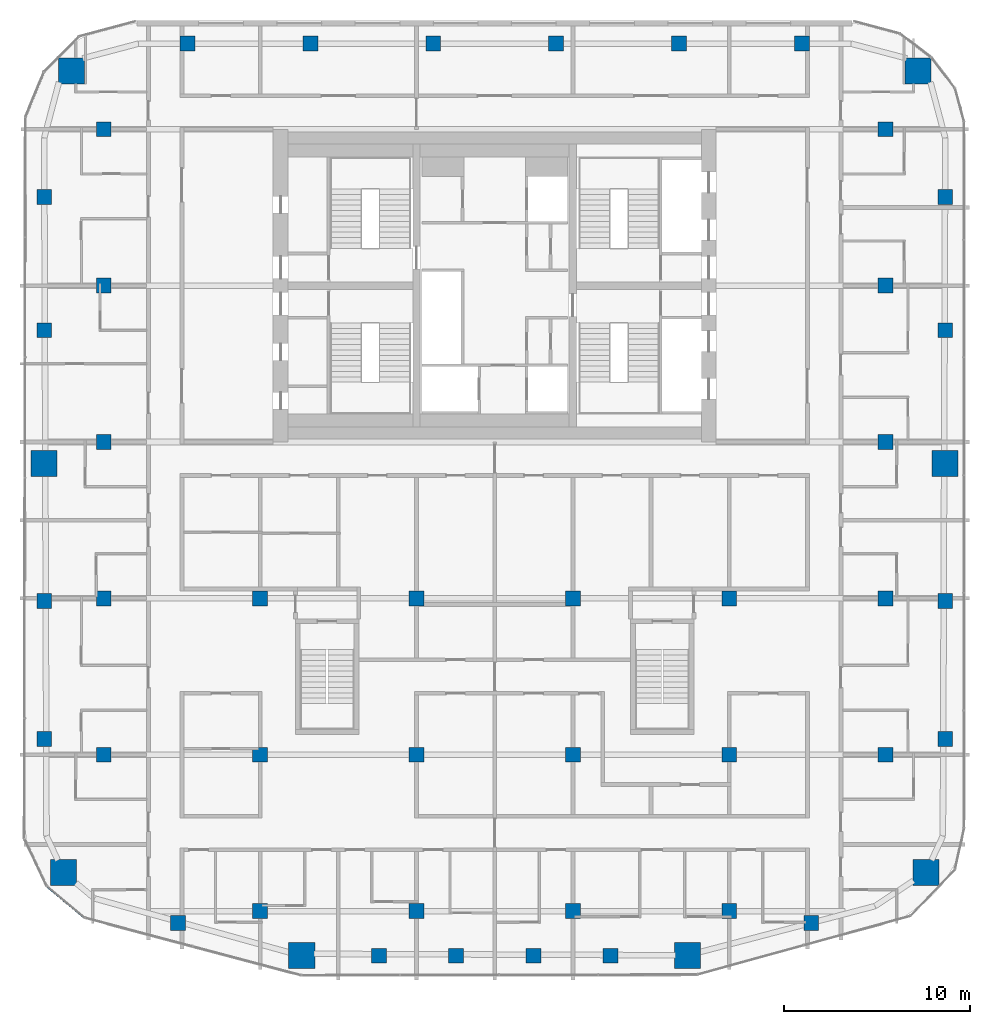
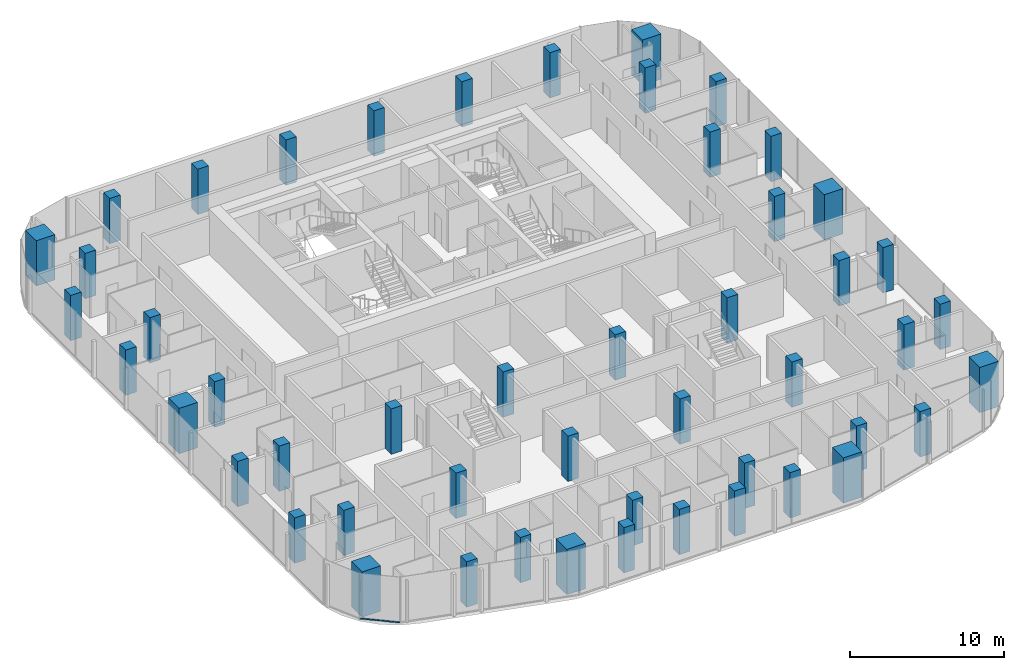
# One storey, part 1 of 22: 50 columns, 1 member, 1 element without a shape of its own.
"""IFC4 building model written with IfcOpenShell, lengths in metres."""

from ifc_helpers import new_model, si_unit, direction, frame, origin, origin_2d, place, context, subcontext, project, spatial, rectangle, extrude, material, layer, layer_set, material_profile, profile_set, type_object, element, aggregate, save


model = new_model("IFC4")

# Units and contexts
model_context = context("Model", 3, precision=1e-05, world=origin(), true_north=direction((0.0, 1.0)))
body_context = subcontext(model_context, "Body", "Model", "MODEL_VIEW")
ifc_project = project(units=[si_unit("LENGTHUNIT", "METRE"), si_unit("AREAUNIT", "SQUARE_METRE"), si_unit("VOLUMEUNIT", "CUBIC_METRE"), si_unit("PLANEANGLEUNIT", "RADIAN"), si_unit("MASSUNIT", "GRAM", prefix="KILO")], contexts=[model_context])

# Site, building, storey
site_placement = place(None, origin())
site = spatial("IfcSite", under=ifc_project, at=site_placement, CompositionType="ELEMENT")
building_placement = place(site_placement, origin())
building = spatial("IfcBuilding", under=site, at=building_placement, Name="Marenta Gate Hotel Tower", CompositionType="ELEMENT")
storey_placement = place(building_placement, frame((0.0, 0.0, 209.300048828125)))
storey = spatial("IfcBuildingStorey", under=building, at=storey_placement, Name="L48", CompositionType="ELEMENT", Elevation=209.300048828125)

# Columns
ifc_material_1 = material(Name="Concrete C60", Category="concrete")
ifc_material_profile_1 = material_profile(ifc_material_1, rectangle(XDim=0.800048828125, YDim=0.800048828125, at=origin_2d()), Name="800 x 800")
ifc_profile_set_1 = profile_set([ifc_material_profile_1], Name="Concrete C60")
column_type_1 = type_object("IfcColumnType", Name="Edge column 800 x 800 C60", PredefinedType="COLUMN", material=ifc_profile_set_1)
for number, where, z_axis, x_axis, name in (
    (1, (-24.199951171875, -15.951904296875, 0.0), (0.0, 0.0, 1.0), (1.0, 0.0, 0.0), "L48-EC-SW-W-1"),
    (2, (-24.199951171875, -8.55078125, 0.0), (0.0, 0.0, 1.0), (1.0, 0.0, 0.0), "L48-EC-SW-W-2"),
    (3, (-24.199951171875, 6.003173828125, 0.0), (0.0, 0.0, 1.0), (1.0, 0.0, 0.0), "L48-EC-W-NW-1"),
    (4, (-24.199951171875, 13.156494140625, 0.0), (0.0, 0.0, 1.0), (1.0, 0.0, 0.0), "L48-EC-W-NW-2"),
    (5, (-16.5068359375, 21.39990234375, 0.0), (0.0, 0.0, 1.0), (1.0, 0.0, 0.0), "L48-EC-NW-NE-1"),
    (6, (-9.904052734375, 21.39990234375, 0.0), (0.0, 0.0, 1.0), (1.0, 0.0, 0.0), "L48-EC-NW-NE-2"),
    (7, (-3.301513671875, 21.39990234375, 0.0), (0.0, 0.0, 1.0), (1.0, 0.0, 0.0), "L48-EC-NW-NE-3"),
    (8, (3.301513671875, 21.39990234375, 0.0), (0.0, 0.0, 1.0), (1.0, 0.0, 0.0), "L48-EC-NW-NE-4"),
    (9, (9.904052734375, 21.39990234375, 0.0), (0.0, 0.0, 1.0), (1.0, 0.0, 0.0), "L48-EC-NW-NE-5"),
    (10, (16.5068359375, 21.39990234375, 0.0), (0.0, 0.0, 1.0), (1.0, 0.0, 0.0), "L48-EC-NW-NE-6"),
    (11, (24.199951171875, 13.156494140625, 0.0), (0.0, 0.0, 1.0), (1.0, 0.0, 0.0), "L48-EC-NE-E-1"),
    (12, (24.199951171875, 6.003173828125, 0.0), (0.0, 0.0, 1.0), (1.0, 0.0, 0.0), "L48-EC-NE-E-2"),
    (13, (24.199951171875, -8.55078125, 0.0), (0.0, 0.0, 1.0), (1.0, 0.0, 0.0), "L48-EC-E-SE-1"),
    (14, (24.199951171875, -15.951904296875, 0.0), (0.0, 0.0, 1.0), (1.0, 0.0, 0.0), "L48-EC-E-SE-2"),
    (15, (17.0068359375, -25.839111328125, 0.0), (0.0, 0.0, 1.0), (1.0, 0.0, 0.0), "L48-EC-SE-SKE-1"),
    (16, (6.22021484375, -27.60009765625, 0.0), (0.0, 0.0, 1.0), (1.0, 0.0, 0.0), "L48-EC-SKE-SKW-1"),
    (17, (2.073486328125, -27.60009765625, 0.0), (0.0, 0.0, 1.0), (1.0, 0.0, 0.0), "L48-EC-SKE-SKW-2"),
    (18, (-2.073486328125, -27.60009765625, 0.0), (0.0, 0.0, 1.0), (1.0, 0.0, 0.0), "L48-EC-SKE-SKW-3"),
    (19, (-6.22021484375, -27.60009765625, 0.0), (0.0, 0.0, 1.0), (1.0, 0.0, 0.0), "L48-EC-SKE-SKW-4"),
    (20, (-17.0068359375, -25.839111328125, 0.0), (0.0, 0.0, 1.0), (1.0, 0.0, 0.0), "L48-EC-SKW-SW-1"),
):
    element("IfcColumn", number, at=place(storey_placement, frame(where, z_axis=z_axis, x_axis=x_axis)), inside=storey, type_object=column_type_1, Name=name, PredefinedType="COLUMN", context=body_context, shape_type="SweptSolid", body=[
        extrude(rectangle(XDim=0.800048828125, YDim=0.800048828125, at=origin_2d()), origin(), (0.0, 0.0, 1.0), 3.599853515625),
    ])
ifc_material_2 = material(Name="Concrete C60", Category="concrete")
ifc_material_profile_2 = material_profile(ifc_material_2, rectangle(XDim=0.800048828125, YDim=0.800048828125, at=origin_2d()), Name="800 x 800")
ifc_profile_set_2 = profile_set([ifc_material_profile_2], Name="Concrete C60")
column_type_2 = type_object("IfcColumnType", Name="Interior column 800 x 800 C60", PredefinedType="COLUMN", material=ifc_profile_set_2)
for number, where, z_axis, x_axis, name in (
    (21, (-21.0, -16.800048828125, 0.0), (0.0, 0.0, 1.0), (1.0, 0.0, 0.0), "L48-IC-4D"),
    (22, (-21.0, -8.39990234375, 0.0), (0.0, 0.0, 1.0), (1.0, 0.0, 0.0), "L48-IC-4E"),
    (23, (-21.0, 0.0, 0.0), (0.0, 0.0, 1.0), (1.0, 0.0, 0.0), "L48-IC-4F"),
    (24, (-21.0, 8.39990234375, 0.0), (0.0, 0.0, 1.0), (1.0, 0.0, 0.0), "L48-IC-4G"),
    (25, (-21.0, 16.800048828125, 0.0), (0.0, 0.0, 1.0), (1.0, 0.0, 0.0), "L48-IC-4H"),
    (26, (-12.60009765625, -25.199951171875, 0.0), (0.0, 0.0, 1.0), (1.0, 0.0, 0.0), "L48-IC-5C"),
    (27, (-12.60009765625, -16.800048828125, 0.0), (0.0, 0.0, 1.0), (1.0, 0.0, 0.0), "L48-IC-5D"),
    (28, (-12.60009765625, -8.39990234375, 0.0), (0.0, 0.0, 1.0), (1.0, 0.0, 0.0), "L48-IC-5E"),
    (29, (-4.199951171875, -25.199951171875, 0.0), (0.0, 0.0, 1.0), (1.0, 0.0, 0.0), "L48-IC-6C"),
    (30, (-4.199951171875, -16.800048828125, 0.0), (0.0, 0.0, 1.0), (1.0, 0.0, 0.0), "L48-IC-6D"),
    (31, (-4.199951171875, -8.39990234375, 0.0), (0.0, 0.0, 1.0), (1.0, 0.0, 0.0), "L48-IC-6E"),
    (32, (4.199951171875, -25.199951171875, 0.0), (0.0, 0.0, 1.0), (1.0, 0.0, 0.0), "L48-IC-7C"),
    (33, (4.199951171875, -16.800048828125, 0.0), (0.0, 0.0, 1.0), (1.0, 0.0, 0.0), "L48-IC-7D"),
    (34, (4.199951171875, -8.39990234375, 0.0), (0.0, 0.0, 1.0), (1.0, 0.0, 0.0), "L48-IC-7E"),
    (35, (12.60009765625, -25.199951171875, 0.0), (0.0, 0.0, 1.0), (1.0, 0.0, 0.0), "L48-IC-8C"),
    (36, (12.60009765625, -16.800048828125, 0.0), (0.0, 0.0, 1.0), (1.0, 0.0, 0.0), "L48-IC-8D"),
    (37, (12.60009765625, -8.39990234375, 0.0), (0.0, 0.0, 1.0), (1.0, 0.0, 0.0), "L48-IC-8E"),
    (38, (21.0, -16.800048828125, 0.0), (0.0, 0.0, 1.0), (1.0, 0.0, 0.0), "L48-IC-9D"),
    (39, (21.0, -8.39990234375, 0.0), (0.0, 0.0, 1.0), (1.0, 0.0, 0.0), "L48-IC-9E"),
    (40, (21.0, 0.0, 0.0), (0.0, 0.0, 1.0), (1.0, 0.0, 0.0), "L48-IC-9F"),
    (41, (21.0, 8.39990234375, 0.0), (0.0, 0.0, 1.0), (1.0, 0.0, 0.0), "L48-IC-9G"),
    (42, (21.0, 16.800048828125, 0.0), (0.0, 0.0, 1.0), (1.0, 0.0, 0.0), "L48-IC-9H"),
):
    element("IfcColumn", number, at=place(storey_placement, frame(where, z_axis=z_axis, x_axis=x_axis)), inside=storey, type_object=column_type_2, Name=name, PredefinedType="COLUMN", context=body_context, shape_type="SweptSolid", body=[
        extrude(rectangle(XDim=0.800048828125, YDim=0.800048828125, at=origin_2d()), origin(), (0.0, 0.0, 1.0), 3.599853515625),
    ])
ifc_material_3 = material(Name="Concrete C60", Category="concrete")
ifc_material_profile_3 = material_profile(ifc_material_3, rectangle(XDim=1.39990234375, YDim=1.39990234375, at=origin_2d()), Name="1400 x 1400")
ifc_profile_set_3 = profile_set([ifc_material_profile_3], Name="Concrete C60")
column_type_3 = type_object("IfcColumnType", Name="Mega column 1400 x 1400 C60", PredefinedType="COLUMN", material=ifc_profile_set_3)
for number, where, z_axis, x_axis, name in (
    (43, (-23.1630859375, -23.133056640625, 0.0), (0.0, 0.0, 1.0), (1.0, 0.0, 0.0), "L48-MC-SW"),
    (44, (-10.3662109375, -27.57470703125, 0.0), (0.0, 0.0, 1.0), (1.0, 0.0, 0.0), "L48-MC-SKW"),
    (45, (10.3662109375, -27.57470703125, 0.0), (0.0, 0.0, 1.0), (1.0, 0.0, 0.0), "L48-MC-SKE"),
    (46, (23.1630859375, -23.133056640625, 0.0), (0.0, 0.0, 1.0), (1.0, 0.0, 0.0), "L48-MC-SE"),
    (47, (24.199951171875, -1.14990234375, 0.0), (0.0, 0.0, 1.0), (1.0, 0.0, 0.0), "L48-MC-E"),
    (48, (22.735595703125, 19.935546875, 0.0), (0.0, 0.0, 1.0), (1.0, 0.0, 0.0), "L48-MC-NE"),
    (49, (-22.735595703125, 19.935546875, 0.0), (0.0, 0.0, 1.0), (1.0, 0.0, 0.0), "L48-MC-NW"),
    (50, (-24.199951171875, -1.14990234375, 0.0), (0.0, 0.0, 1.0), (1.0, 0.0, 0.0), "L48-MC-W"),
):
    element("IfcColumn", number, at=place(storey_placement, frame(where, z_axis=z_axis, x_axis=x_axis)), inside=storey, type_object=column_type_3, Name=name, PredefinedType="COLUMN", context=body_context, shape_type="SweptSolid", body=[
        extrude(rectangle(XDim=1.39990234375, YDim=1.39990234375, at=origin_2d()), origin(), (0.0, 0.0, 1.0), 3.599853515625),
    ])

# Curtain wall, member
ifc_material_4 = material(Name="Tinted insulated glass in bronze anodised frame", Category="glass")
ifc_layer = layer(ifc_material_4, 0.1201171875)
ifc_layer_set = layer_set([ifc_layer], Name="Tinted insulated glass in bronze anodised frame")
curtain_wall_type = type_object("IfcCurtainWallType", Name="Tower unitised curtain wall CW1", PredefinedType="NOTDEFINED", material=ifc_layer_set)
curtain_wall_placement = place(storey_placement, origin())
curtain_wall = element("IfcCurtainWall", 51, at=curtain_wall_placement, inside=storey, type_object=curtain_wall_type, Name="CW1 run G05", PredefinedType="NOTDEFINED")
ifc_material_5 = material(Name="Bronze anodised aluminium", Category="aluminium")
ifc_material_profile_4 = material_profile(ifc_material_5, rectangle(XDim=0.1201171875, YDim=0.06005859375, at=origin_2d()), Name="Transom CW1 60x120 bronze anodised aluminium")
ifc_profile_set_4 = profile_set([ifc_material_profile_4], Name="Bronze anodised aluminium")
member_type = type_object("IfcMemberType", Name="Transom CW1 60x120 bronze anodised aluminium", PredefinedType="USERDEFINED", material=ifc_profile_set_4)
member_placement = place(storey_placement, frame((-24.036865234375, -23.879150390625, 0.030029296875), z_axis=(0.767100312603, -0.641527170433, 0.0), x_axis=(0.641527170433, 0.767100312603, 0.0)))
member = element("IfcMember", 52, at=member_placement, type_object=member_type, Name="CW1 transom 1.1", ObjectType="TRANSOM", PredefinedType="USERDEFINED", context=body_context, shape_type="SweptSolid", body=[
    extrude(rectangle(XDim=0.1201171875, YDim=0.06005859375, at=origin_2d()), origin(), (0.0, 0.0, 1.0), 2.609130859375),
])
aggregate(curtain_wall, [member])

save(model, "model.ifc")
